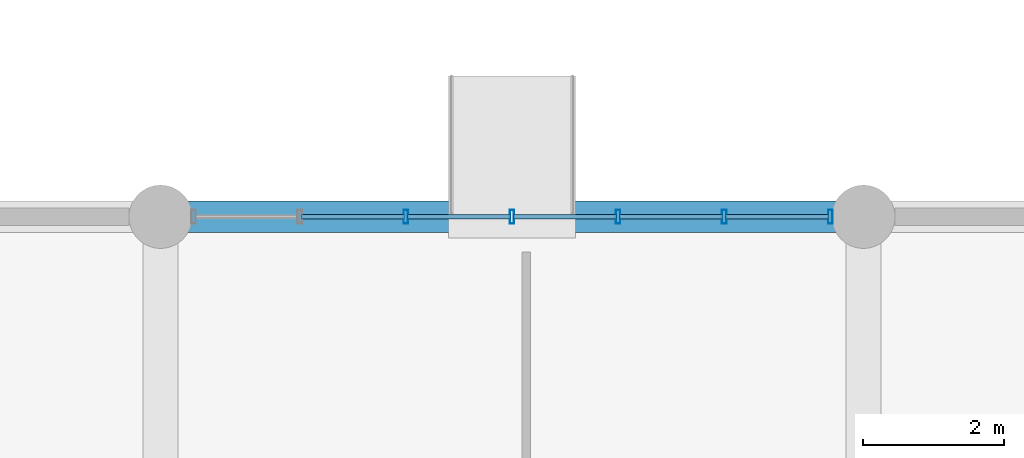
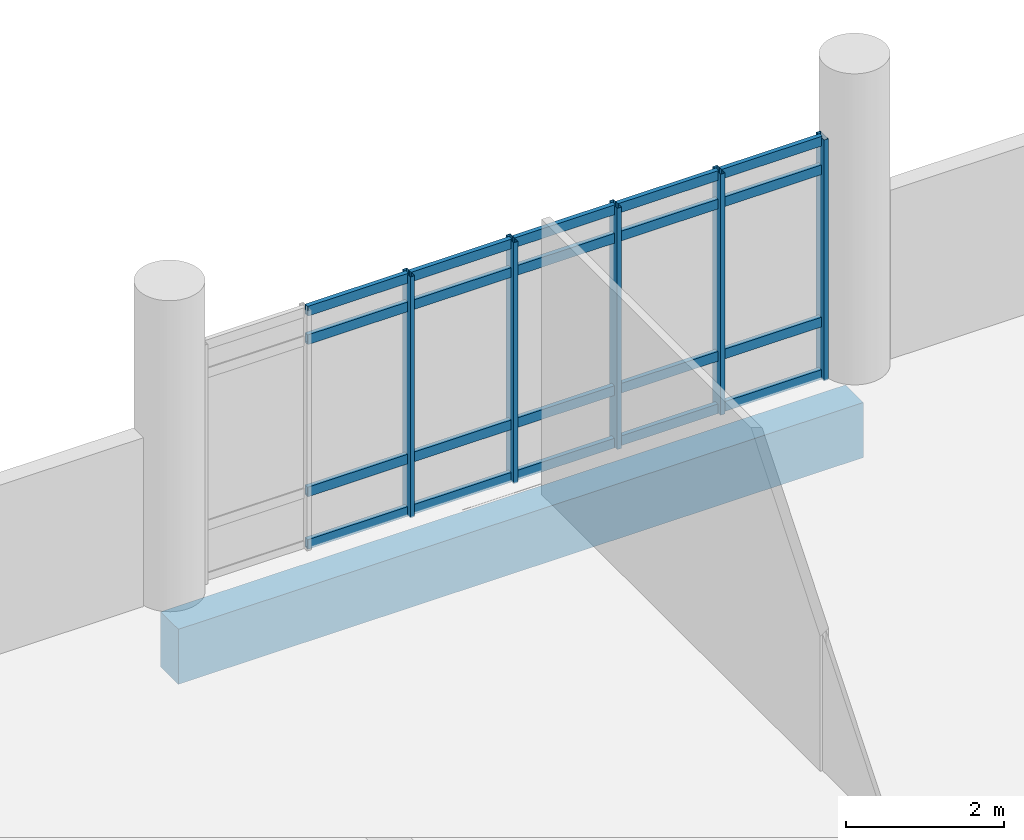
# One storey, part 29 of 87: 25 members, 1 beam, 1 element without a shape of its own.
"""IFC4 building model written with IfcOpenShell, lengths in metres."""

import ifcopenshell
import ifcopenshell.guid

model = None  # the IFC model being written
_history = None  # IfcOwnerHistory: only IFC2X3 demands one
_inside = {}  # id of a spatial element -> (the spatial element, [elements in it])
_under = {}  # id of a project, library or spatial element -> (it, [spatial elements below it])
_declared = {}  # id of a project -> (the project, [libraries it declares])
_typed = {}  # id of a type object -> (the type object, [elements of that type])
_made_of = {}  # id of a material, layer set ... -> (it, [elements and type objects made of it])


def new_model(schema):
    """Start an empty IFC model of exactly this schema.

    Asked for "IFC4X3", IfcOpenShell would pick the latest addendum, in which some entities
    have other attributes; the version numbers below select the first issue.
    IFC2X3 requires an IfcOwnerHistory on every rooted entity: one is made here for all.
    """
    global model, _history
    if schema == "IFC4X3":
        model = ifcopenshell.file(schema_version=(4, 3, 0, 0))
    else:
        model = ifcopenshell.file(schema=schema)
    _inside.clear()
    _under.clear()
    _declared.clear()
    _typed.clear()
    _made_of.clear()
    _history = None
    if model.schema == "IFC2X3":
        org = make("IfcOrganization", Name="unknown")
        user = make(
            "IfcPersonAndOrganization",
            ThePerson=make("IfcPerson", FamilyName="unknown"),
            TheOrganization=org,
        )
        app = make(
            "IfcApplication",
            ApplicationDeveloper=org,
            Version="unknown",
            ApplicationFullName="unknown",
            ApplicationIdentifier="unknown",
        )
        _history = make(
            "IfcOwnerHistory",
            OwningUser=user,
            OwningApplication=app,
            ChangeAction="ADDED",
            CreationDate=0,
        )
    return model


def make(cls, **values):
    """One entity of the class cls with the attributes given. An attribute that is None is left unset."""
    return model.create_entity(
        cls, **{name: value for name, value in values.items() if value is not None}
    )


def rooted(cls, **values):
    """An entity with a GlobalId (a new one), such as an element, a storey or a relation."""
    return make(cls, GlobalId=ifcopenshell.guid.new(), OwnerHistory=_history, **values)


def si_unit(unit_type, name, prefix=None):
    """IfcSIUnit, for example si_unit("LENGTHUNIT", "METRE", prefix="MILLI")."""
    return make("IfcSIUnit", UnitType=unit_type, Prefix=prefix, Name=name)


def assignment(units):
    """IfcUnitAssignment: the units of a project."""
    return None if units is None else make("IfcUnitAssignment", Units=units)


def point(xyz):
    """IfcCartesianPoint."""
    return None if xyz is None else make("IfcCartesianPoint", Coordinates=xyz)


def direction(xyz):
    """IfcDirection."""
    return None if xyz is None else make("IfcDirection", DirectionRatios=xyz)


def frame(location, z_axis=None, x_axis=None):
    """IfcAxis2Placement3D, a coordinate frame: its origin and axes. An axis left out is left unset."""
    return make(
        "IfcAxis2Placement3D",
        Location=point(location),
        Axis=direction(z_axis),
        RefDirection=direction(x_axis),
    )


def frame_2d(location, x_axis=None):
    """IfcAxis2Placement2D, a coordinate frame in the plane: its origin and x axis."""
    return make(
        "IfcAxis2Placement2D", Location=point(location), RefDirection=direction(x_axis)
    )


def origin():
    """The frame at (0, 0, 0) with its axes left unset."""
    return frame((0.0, 0.0, 0.0))


def origin_2d():
    """The frame at (0, 0) in the plane with its x axis left unset."""
    return frame_2d((0.0, 0.0))


def place(relative_to, where):
    """IfcLocalPlacement: puts the frame where relative to a parent placement (None: the world)."""
    return make(
        "IfcLocalPlacement", PlacementRelTo=relative_to, RelativePlacement=where
    )


def context(
    kind, dimensions, precision=None, world=None, true_north=None, identifier=None
):
    """IfcGeometricRepresentationContext, for example the 3D "Model" context."""
    return make(
        "IfcGeometricRepresentationContext",
        ContextIdentifier=identifier,
        ContextType=kind,
        CoordinateSpaceDimension=dimensions,
        Precision=precision,
        WorldCoordinateSystem=world,
        TrueNorth=true_north,
    )


def subcontext(parent, identifier, kind, view, scale=None):
    """IfcGeometricRepresentationSubContext, for example "Body" below "Model"."""
    return make(
        "IfcGeometricRepresentationSubContext",
        ContextIdentifier=identifier,
        ContextType=kind,
        ParentContext=parent,
        TargetScale=scale,
        TargetView=view,
    )


def project(units=None, contexts=None):
    """IfcProject with its units and contexts."""
    return rooted(
        "IfcProject",
        Name="project",
        RepresentationContexts=contexts,
        UnitsInContext=assignment(units),
    )


def spatial(cls, under=None, at=None, **own):
    """A site, building, storey or space (cls), placed at a placement, below another one or the project."""
    s = rooted(cls, ObjectPlacement=at, **own)
    if under is not None:
        _under.setdefault(under.id(), (under, []))[1].append(s)
    return s


def profile(cls, at=None, kind="AREA", **sizes):
    """A parametric profile (cls). Its sizes go by their IFC names, for example OverallWidth=200.0."""
    return make(cls, ProfileType=kind, Position=at, **sizes)


def rectangle(**sizes):
    """IfcRectangleProfileDef."""
    return profile("IfcRectangleProfileDef", **sizes)


def hollow_rectangle(**sizes):
    """IfcRectangleHollowProfileDef."""
    return profile("IfcRectangleHollowProfileDef", **sizes)


def extrude(swept, where, along, depth):
    """IfcExtrudedAreaSolid: the profile swept, set in the frame where, extruded along a direction by depth."""
    return make(
        "IfcExtrudedAreaSolid",
        SweptArea=swept,
        Position=where,
        ExtrudedDirection=direction(along),
        Depth=depth,
    )


def shape(context_of_items, identifier, shape_type, items):
    """IfcShapeRepresentation: the items that make up one representation, for example the "Body"."""
    return make(
        "IfcShapeRepresentation",
        ContextOfItems=context_of_items,
        RepresentationIdentifier=identifier,
        RepresentationType=shape_type,
        Items=items,
    )


def material(Name=None, Category=None):
    """IfcMaterial."""
    return make("IfcMaterial", Name=Name, Category=Category)


def layer(
    of_material, thickness, ventilated=None, Name=None, Category=None, Priority=None
):
    """IfcMaterialLayer: one layer of a wall or slab, of a material (None: an air gap)."""
    return make(
        "IfcMaterialLayer",
        Material=of_material,
        LayerThickness=thickness,
        IsVentilated=ventilated,
        Name=Name,
        Category=Category,
        Priority=Priority,
    )


def layer_set(layers, Name=None):
    """IfcMaterialLayerSet."""
    return make("IfcMaterialLayerSet", MaterialLayers=layers, LayerSetName=Name)


def material_profile(
    of_material, cross_section, Name=None, Category=None, Priority=None
):
    """IfcMaterialProfile: a cross section and its material."""
    return make(
        "IfcMaterialProfile",
        Name=Name,
        Material=of_material,
        Profile=cross_section,
        Priority=Priority,
        Category=Category,
    )


def profile_set(profiles, Name=None, composite=None):
    """IfcMaterialProfileSet."""
    return make(
        "IfcMaterialProfileSet",
        Name=Name,
        MaterialProfiles=profiles,
        CompositeProfile=composite,
    )


def made_of(thing, what):
    """Note that an element or type object is made of a material, layer set ...; save() writes the relation."""
    if what is not None:
        _made_of.setdefault(what.id(), (what, []))[1].append(thing)
    return thing


def type_object(cls, material=None, **own):
    """A type object (cls), such as IfcWallType, which elements share."""
    return made_of(rooted(cls, **own), material)


def element(
    cls,
    number,
    at=None,
    inside=None,
    cuts=None,
    type_object=None,
    material=None,
    context=None,
    identifier="Body",
    shape_type=None,
    held_by="IfcProductDefinitionShape",
    body=None,
    shapes=None,
    **own,
):
    """One element of the class cls, such as IfcWall. Its Tag is "e" and its number.

    at: its placement. inside: the storey or other place that contains it. cuts: it is an
    opening in that element (IfcRelVoidsElement). A single representation is given by context,
    identifier, shape_type and body (its items); several are given by shapes. held_by: the class
    of the entity that holds the representations. save() writes the other relations.
    """
    e = rooted(cls, Tag="e%d" % number, ObjectPlacement=at, **own)
    if body is not None:
        shapes = [shape(context, identifier, shape_type, body)]
    if shapes is not None:
        e.Representation = make(held_by, Representations=shapes)
    if inside is not None:
        _inside.setdefault(inside.id(), (inside, []))[1].append(e)
    if cuts is not None:
        rooted(
            "IfcRelVoidsElement", RelatingBuildingElement=cuts, RelatedOpeningElement=e
        )
    if type_object is not None:
        _typed.setdefault(type_object.id(), (type_object, []))[1].append(e)
    return made_of(e, material)


def aggregate(whole, parts):
    """IfcRelAggregates: a whole, such as a stair, and the parts it consists of."""
    return rooted("IfcRelAggregates", RelatingObject=whole, RelatedObjects=parts)


def save(model, path):
    """Write the relations noted so far, then the file.

    IfcRelAggregates (storeys below a building ...), IfcRelContainedInSpatialStructure (elements
    in a storey), IfcRelDefinesByType, IfcRelAssociatesMaterial and IfcRelDeclares: one each for
    every whole, place, type object, material and project.
    """
    for whole, parts in _under.values():
        aggregate(whole, parts)
    for where, things in _inside.values():
        rooted(
            "IfcRelContainedInSpatialStructure",
            RelatedElements=things,
            RelatingStructure=where,
        )
    for kind, things in _typed.values():
        rooted("IfcRelDefinesByType", RelatedObjects=things, RelatingType=kind)
    for what, things in _made_of.values():
        rooted("IfcRelAssociatesMaterial", RelatedObjects=things, RelatingMaterial=what)
    for by, libraries in _declared.values():
        rooted("IfcRelDeclares", RelatingContext=by, RelatedDefinitions=libraries)
    model.write(path)


model = new_model("IFC4")

# Units and contexts
model_context = context("Model", 3, precision=1e-05, world=origin(), true_north=direction((0.0, 1.0)))
body_context = subcontext(model_context, "Body", "Model", "MODEL_VIEW")
ifc_project = project(units=[si_unit("LENGTHUNIT", "METRE"), si_unit("AREAUNIT", "SQUARE_METRE"), si_unit("VOLUMEUNIT", "CUBIC_METRE"), si_unit("PLANEANGLEUNIT", "RADIAN"), si_unit("MASSUNIT", "GRAM", prefix="KILO")], contexts=[model_context])

# Site, building, storey
site_placement = place(None, origin())
site = spatial("IfcSite", under=ifc_project, at=site_placement, CompositionType="ELEMENT")
building_placement = place(site_placement, origin())
building = spatial("IfcBuilding", under=site, at=building_placement, Name="Mersad Railyard Sports Hall", CompositionType="ELEMENT")
storey_placement = place(building_placement, origin())
storey = spatial("IfcBuildingStorey", under=building, at=storey_placement, Name="L00", CompositionType="ELEMENT", Elevation=0.0)

# Curtain wall, members
ifc_material_1 = material(Name="Aluminium 6063-T6", Category="aluminium")
ifc_layer = layer(ifc_material_1, 0.199951171875)
ifc_layer_set = layer_set([ifc_layer], Name="Aluminium 6063-T6")
curtain_wall_type = type_object("IfcCurtainWallType", Name="ARC-CW-CW07", PredefinedType="USERDEFINED", material=ifc_layer_set)
curtain_wall_placement = place(storey_placement, origin())
curtain_wall = element("IfcCurtainWall", 1, at=curtain_wall_placement, inside=storey, type_object=curtain_wall_type, Name="Curtain wall CW07-0033", ObjectType="CURTAIN WALL", PredefinedType="USERDEFINED")
ifc_material_profile_1 = material_profile(ifc_material_1, hollow_rectangle(XDim=0.06494140625, YDim=0.199951171875, WallThickness=0.0048828125, at=origin_2d()), Name="AL MULLION 65x200x5")
ifc_profile_set_1 = profile_set([ifc_material_profile_1], Name="Aluminium 6063-T6")
member_type_1 = type_object("IfcMemberType", Name="ARC-CW-MUL02", PredefinedType="MULLION", material=ifc_profile_set_1)
member_1_placement = place(storey_placement, frame((104.489990234375, 43.5, -0.02001953125), z_axis=(0.0, 0.0, 1.0), x_axis=(1.0, 0.0, 0.0)))
member_1 = element("IfcMember", 2, at=member_1_placement, type_object=member_type_1, Name="CW07 Mullion 3", PredefinedType="MULLION", context=body_context, shape_type="SweptSolid", body=[
    extrude(hollow_rectangle(XDim=0.06494140625, YDim=0.199951171875, WallThickness=0.0048828125, at=origin_2d()), origin(), (0.0, 0.0, 1.0), 3.719970703125),
])
member_2_placement = place(storey_placement, frame((106.0, 43.5, -0.02001953125), z_axis=(0.0, 0.0, 1.0), x_axis=(1.0, 0.0, 0.0)))
member_2 = element("IfcMember", 3, at=member_2_placement, type_object=member_type_1, Name="CW07 Mullion 4", PredefinedType="MULLION", context=body_context, shape_type="SweptSolid", body=[
    extrude(hollow_rectangle(XDim=0.06494140625, YDim=0.199951171875, WallThickness=0.0048828125, at=origin_2d()), origin(), (0.0, 0.0, 1.0), 3.719970703125),
])
member_3_placement = place(storey_placement, frame((107.510009765625, 43.5, -0.02001953125), z_axis=(0.0, 0.0, 1.0), x_axis=(1.0, 0.0, 0.0)))
member_3 = element("IfcMember", 4, at=member_3_placement, type_object=member_type_1, Name="CW07 Mullion 5", PredefinedType="MULLION", context=body_context, shape_type="SweptSolid", body=[
    extrude(hollow_rectangle(XDim=0.06494140625, YDim=0.199951171875, WallThickness=0.0048828125, at=origin_2d()), origin(), (0.0, 0.0, 1.0), 3.719970703125),
])
member_4_placement = place(storey_placement, frame((109.02001953125, 43.5, -0.02001953125), z_axis=(0.0, 0.0, 1.0), x_axis=(1.0, 0.0, 0.0)))
member_4 = element("IfcMember", 5, at=member_4_placement, type_object=member_type_1, Name="CW07 Mullion 6", PredefinedType="MULLION", context=body_context, shape_type="SweptSolid", body=[
    extrude(hollow_rectangle(XDim=0.06494140625, YDim=0.199951171875, WallThickness=0.0048828125, at=origin_2d()), origin(), (0.0, 0.0, 1.0), 3.719970703125),
])
member_5_placement = place(storey_placement, frame((110.530029296875, 43.5, -0.02001953125), z_axis=(0.0, 0.0, 1.0), x_axis=(1.0, 0.0, 0.0)))
member_5 = element("IfcMember", 6, at=member_5_placement, type_object=member_type_1, Name="CW07 Mullion 7", PredefinedType="MULLION", context=body_context, shape_type="SweptSolid", body=[
    extrude(hollow_rectangle(XDim=0.06494140625, YDim=0.199951171875, WallThickness=0.0048828125, at=origin_2d()), origin(), (0.0, 0.0, 1.0), 3.719970703125),
])
ifc_material_profile_2 = material_profile(ifc_material_1, hollow_rectangle(XDim=0.06494140625, YDim=0.14990234375, WallThickness=0.00439453125, at=origin_2d()), Name="AL TRANSOM 65x150x4.5")
ifc_profile_set_2 = profile_set([ifc_material_profile_2], Name="Aluminium 6063-T6")
member_type_2 = type_object("IfcMemberType", Name="ARC-CW-TRN02", PredefinedType="USERDEFINED", material=ifc_profile_set_2)
member_6_placement = place(storey_placement, frame((103.0, 43.5, 0.0400390625), z_axis=(1.0, 0.0, 0.0), x_axis=(0.0, 1.0, 0.0)))
member_6 = element("IfcMember", 7, at=member_6_placement, type_object=member_type_2, Name="CW07 Transom 1-2", ObjectType="TRANSOM", PredefinedType="USERDEFINED", context=body_context, shape_type="SweptSolid", body=[
    extrude(hollow_rectangle(XDim=0.06494140625, YDim=0.14990234375, WallThickness=0.00439453125, at=origin_2d()), origin(), (0.0, 0.0, 1.0), 1.469970703125),
])
member_7_placement = place(storey_placement, frame((104.510009765625, 43.5, 0.0400390625), z_axis=(1.0, 0.0, 0.0), x_axis=(0.0, 1.0, 0.0)))
member_7 = element("IfcMember", 8, at=member_7_placement, type_object=member_type_2, Name="CW07 Transom 1-3", ObjectType="TRANSOM", PredefinedType="USERDEFINED", context=body_context, shape_type="SweptSolid", body=[
    extrude(hollow_rectangle(XDim=0.06494140625, YDim=0.14990234375, WallThickness=0.00439453125, at=origin_2d()), origin(), (0.0, 0.0, 1.0), 1.469970703125),
])
member_8_placement = place(storey_placement, frame((106.02001953125, 43.5, 0.0400390625), z_axis=(1.0, 0.0, 0.0), x_axis=(0.0, 1.0, 0.0)))
member_8 = element("IfcMember", 9, at=member_8_placement, type_object=member_type_2, Name="CW07 Transom 1-4", ObjectType="TRANSOM", PredefinedType="USERDEFINED", context=body_context, shape_type="SweptSolid", body=[
    extrude(hollow_rectangle(XDim=0.06494140625, YDim=0.14990234375, WallThickness=0.00439453125, at=origin_2d()), origin(), (0.0, 0.0, 1.0), 1.469970703125),
])
member_9_placement = place(storey_placement, frame((107.530029296875, 43.5, 0.0400390625), z_axis=(1.0, 0.0, 0.0), x_axis=(0.0, 1.0, 0.0)))
member_9 = element("IfcMember", 10, at=member_9_placement, type_object=member_type_2, Name="CW07 Transom 1-5", ObjectType="TRANSOM", PredefinedType="USERDEFINED", context=body_context, shape_type="SweptSolid", body=[
    extrude(hollow_rectangle(XDim=0.06494140625, YDim=0.14990234375, WallThickness=0.00439453125, at=origin_2d()), origin(), (0.0, 0.0, 1.0), 1.469970703125),
])
member_10_placement = place(storey_placement, frame((109.0400390625, 43.5, 0.0400390625), z_axis=(1.0, 0.0, 0.0), x_axis=(0.0, 1.0, 0.0)))
member_10 = element("IfcMember", 11, at=member_10_placement, type_object=member_type_2, Name="CW07 Transom 1-6", ObjectType="TRANSOM", PredefinedType="USERDEFINED", context=body_context, shape_type="SweptSolid", body=[
    extrude(hollow_rectangle(XDim=0.06494140625, YDim=0.14990234375, WallThickness=0.00439453125, at=origin_2d()), origin(), (0.0, 0.0, 1.0), 1.469970703125),
])
member_11_placement = place(storey_placement, frame((103.0, 43.5, 0.85009765625), z_axis=(1.0, 0.0, 0.0), x_axis=(0.0, 1.0, 0.0)))
member_11 = element("IfcMember", 12, at=member_11_placement, type_object=member_type_2, Name="CW07 Transom 2-2", ObjectType="TRANSOM", PredefinedType="USERDEFINED", context=body_context, shape_type="SweptSolid", body=[
    extrude(hollow_rectangle(XDim=0.06494140625, YDim=0.14990234375, WallThickness=0.00439453125, at=origin_2d()), origin(), (0.0, 0.0, 1.0), 1.469970703125),
])
member_12_placement = place(storey_placement, frame((104.510009765625, 43.5, 0.85009765625), z_axis=(1.0, 0.0, 0.0), x_axis=(0.0, 1.0, 0.0)))
member_12 = element("IfcMember", 13, at=member_12_placement, type_object=member_type_2, Name="CW07 Transom 2-3", ObjectType="TRANSOM", PredefinedType="USERDEFINED", context=body_context, shape_type="SweptSolid", body=[
    extrude(hollow_rectangle(XDim=0.06494140625, YDim=0.14990234375, WallThickness=0.00439453125, at=origin_2d()), origin(), (0.0, 0.0, 1.0), 1.469970703125),
])
member_13_placement = place(storey_placement, frame((106.02001953125, 43.5, 0.85009765625), z_axis=(1.0, 0.0, 0.0), x_axis=(0.0, 1.0, 0.0)))
member_13 = element("IfcMember", 14, at=member_13_placement, type_object=member_type_2, Name="CW07 Transom 2-4", ObjectType="TRANSOM", PredefinedType="USERDEFINED", context=body_context, shape_type="SweptSolid", body=[
    extrude(hollow_rectangle(XDim=0.06494140625, YDim=0.14990234375, WallThickness=0.00439453125, at=origin_2d()), origin(), (0.0, 0.0, 1.0), 1.469970703125),
])
member_14_placement = place(storey_placement, frame((107.530029296875, 43.5, 0.85009765625), z_axis=(1.0, 0.0, 0.0), x_axis=(0.0, 1.0, 0.0)))
member_14 = element("IfcMember", 15, at=member_14_placement, type_object=member_type_2, Name="CW07 Transom 2-5", ObjectType="TRANSOM", PredefinedType="USERDEFINED", context=body_context, shape_type="SweptSolid", body=[
    extrude(hollow_rectangle(XDim=0.06494140625, YDim=0.14990234375, WallThickness=0.00439453125, at=origin_2d()), origin(), (0.0, 0.0, 1.0), 1.469970703125),
])
member_15_placement = place(storey_placement, frame((109.0400390625, 43.5, 0.85009765625), z_axis=(1.0, 0.0, 0.0), x_axis=(0.0, 1.0, 0.0)))
member_15 = element("IfcMember", 16, at=member_15_placement, type_object=member_type_2, Name="CW07 Transom 2-6", ObjectType="TRANSOM", PredefinedType="USERDEFINED", context=body_context, shape_type="SweptSolid", body=[
    extrude(hollow_rectangle(XDim=0.06494140625, YDim=0.14990234375, WallThickness=0.00439453125, at=origin_2d()), origin(), (0.0, 0.0, 1.0), 1.469970703125),
])
member_16_placement = place(storey_placement, frame((103.0, 43.5, 3.199951171875), z_axis=(1.0, 0.0, 0.0), x_axis=(0.0, 1.0, 0.0)))
member_16 = element("IfcMember", 17, at=member_16_placement, type_object=member_type_2, Name="CW07 Transom 3-2", ObjectType="TRANSOM", PredefinedType="USERDEFINED", context=body_context, shape_type="SweptSolid", body=[
    extrude(hollow_rectangle(XDim=0.06494140625, YDim=0.14990234375, WallThickness=0.00439453125, at=origin_2d()), origin(), (0.0, 0.0, 1.0), 1.469970703125),
])
member_17_placement = place(storey_placement, frame((104.510009765625, 43.5, 3.199951171875), z_axis=(1.0, 0.0, 0.0), x_axis=(0.0, 1.0, 0.0)))
member_17 = element("IfcMember", 18, at=member_17_placement, type_object=member_type_2, Name="CW07 Transom 3-3", ObjectType="TRANSOM", PredefinedType="USERDEFINED", context=body_context, shape_type="SweptSolid", body=[
    extrude(hollow_rectangle(XDim=0.06494140625, YDim=0.14990234375, WallThickness=0.00439453125, at=origin_2d()), origin(), (0.0, 0.0, 1.0), 1.469970703125),
])
member_18_placement = place(storey_placement, frame((106.02001953125, 43.5, 3.199951171875), z_axis=(1.0, 0.0, 0.0), x_axis=(0.0, 1.0, 0.0)))
member_18 = element("IfcMember", 19, at=member_18_placement, type_object=member_type_2, Name="CW07 Transom 3-4", ObjectType="TRANSOM", PredefinedType="USERDEFINED", context=body_context, shape_type="SweptSolid", body=[
    extrude(hollow_rectangle(XDim=0.06494140625, YDim=0.14990234375, WallThickness=0.00439453125, at=origin_2d()), origin(), (0.0, 0.0, 1.0), 1.469970703125),
])
member_19_placement = place(storey_placement, frame((107.530029296875, 43.5, 3.199951171875), z_axis=(1.0, 0.0, 0.0), x_axis=(0.0, 1.0, 0.0)))
member_19 = element("IfcMember", 20, at=member_19_placement, type_object=member_type_2, Name="CW07 Transom 3-5", ObjectType="TRANSOM", PredefinedType="USERDEFINED", context=body_context, shape_type="SweptSolid", body=[
    extrude(hollow_rectangle(XDim=0.06494140625, YDim=0.14990234375, WallThickness=0.00439453125, at=origin_2d()), origin(), (0.0, 0.0, 1.0), 1.469970703125),
])
member_20_placement = place(storey_placement, frame((109.0400390625, 43.5, 3.199951171875), z_axis=(1.0, 0.0, 0.0), x_axis=(0.0, 1.0, 0.0)))
member_20 = element("IfcMember", 21, at=member_20_placement, type_object=member_type_2, Name="CW07 Transom 3-6", ObjectType="TRANSOM", PredefinedType="USERDEFINED", context=body_context, shape_type="SweptSolid", body=[
    extrude(hollow_rectangle(XDim=0.06494140625, YDim=0.14990234375, WallThickness=0.00439453125, at=origin_2d()), origin(), (0.0, 0.0, 1.0), 1.469970703125),
])
member_21_placement = place(storey_placement, frame((103.0, 43.5, 3.639892578125), z_axis=(1.0, 0.0, 0.0), x_axis=(0.0, 1.0, 0.0)))
member_21 = element("IfcMember", 22, at=member_21_placement, type_object=member_type_2, Name="CW07 Transom 4-2", ObjectType="TRANSOM", PredefinedType="USERDEFINED", context=body_context, shape_type="SweptSolid", body=[
    extrude(hollow_rectangle(XDim=0.06494140625, YDim=0.14990234375, WallThickness=0.00439453125, at=origin_2d()), origin(), (0.0, 0.0, 1.0), 1.469970703125),
])
member_22_placement = place(storey_placement, frame((104.510009765625, 43.5, 3.639892578125), z_axis=(1.0, 0.0, 0.0), x_axis=(0.0, 1.0, 0.0)))
member_22 = element("IfcMember", 23, at=member_22_placement, type_object=member_type_2, Name="CW07 Transom 4-3", ObjectType="TRANSOM", PredefinedType="USERDEFINED", context=body_context, shape_type="SweptSolid", body=[
    extrude(hollow_rectangle(XDim=0.06494140625, YDim=0.14990234375, WallThickness=0.00439453125, at=origin_2d()), origin(), (0.0, 0.0, 1.0), 1.469970703125),
])
member_23_placement = place(storey_placement, frame((106.02001953125, 43.5, 3.639892578125), z_axis=(1.0, 0.0, 0.0), x_axis=(0.0, 1.0, 0.0)))
member_23 = element("IfcMember", 24, at=member_23_placement, type_object=member_type_2, Name="CW07 Transom 4-4", ObjectType="TRANSOM", PredefinedType="USERDEFINED", context=body_context, shape_type="SweptSolid", body=[
    extrude(hollow_rectangle(XDim=0.06494140625, YDim=0.14990234375, WallThickness=0.00439453125, at=origin_2d()), origin(), (0.0, 0.0, 1.0), 1.469970703125),
])
member_24_placement = place(storey_placement, frame((107.530029296875, 43.5, 3.639892578125), z_axis=(1.0, 0.0, 0.0), x_axis=(0.0, 1.0, 0.0)))
member_24 = element("IfcMember", 25, at=member_24_placement, type_object=member_type_2, Name="CW07 Transom 4-5", ObjectType="TRANSOM", PredefinedType="USERDEFINED", context=body_context, shape_type="SweptSolid", body=[
    extrude(hollow_rectangle(XDim=0.06494140625, YDim=0.14990234375, WallThickness=0.00439453125, at=origin_2d()), origin(), (0.0, 0.0, 1.0), 1.469970703125),
])
member_25_placement = place(storey_placement, frame((109.0400390625, 43.5, 3.639892578125), z_axis=(1.0, 0.0, 0.0), x_axis=(0.0, 1.0, 0.0)))
member_25 = element("IfcMember", 26, at=member_25_placement, type_object=member_type_2, Name="CW07 Transom 4-6", ObjectType="TRANSOM", PredefinedType="USERDEFINED", context=body_context, shape_type="SweptSolid", body=[
    extrude(hollow_rectangle(XDim=0.06494140625, YDim=0.14990234375, WallThickness=0.00439453125, at=origin_2d()), origin(), (0.0, 0.0, 1.0), 1.469970703125),
])
aggregate(curtain_wall, [member_1, member_2, member_3, member_4, member_5, member_6, member_7, member_8, member_9, member_10, member_11, member_12, member_13, member_14, member_15, member_16, member_17, member_18, member_19, member_20, member_21, member_22, member_23, member_24, member_25])

# Beam
ifc_material_2 = material(Name="Concrete C40/50", Category="concrete")
ifc_material_profile_3 = material_profile(ifc_material_2, rectangle(XDim=0.449951171875, YDim=0.85009765625, at=origin_2d()), Name="RC 450x850")
ifc_profile_set_3 = profile_set([ifc_material_profile_3], Name="Concrete C40/50")
beam_type = type_object("IfcBeamType", Name="STR-BM-B02", PredefinedType="BEAM", material=ifc_profile_set_3)
beam_placement = place(storey_placement, frame((101.0, 43.5, -0.875), z_axis=(1.0, 0.0, 0.0), x_axis=(0.0, 1.0, 0.0)))
element("IfcBeam", 27, at=beam_placement, inside=storey, type_object=beam_type, Name="Beam B02-0062", PredefinedType="BEAM", context=body_context, shape_type="SweptSolid", body=[
    extrude(rectangle(XDim=0.449951171875, YDim=0.85009765625, at=origin_2d()), origin(), (0.0, 0.0, 1.0), 10.0),
])

save(model, "model.ifc")
